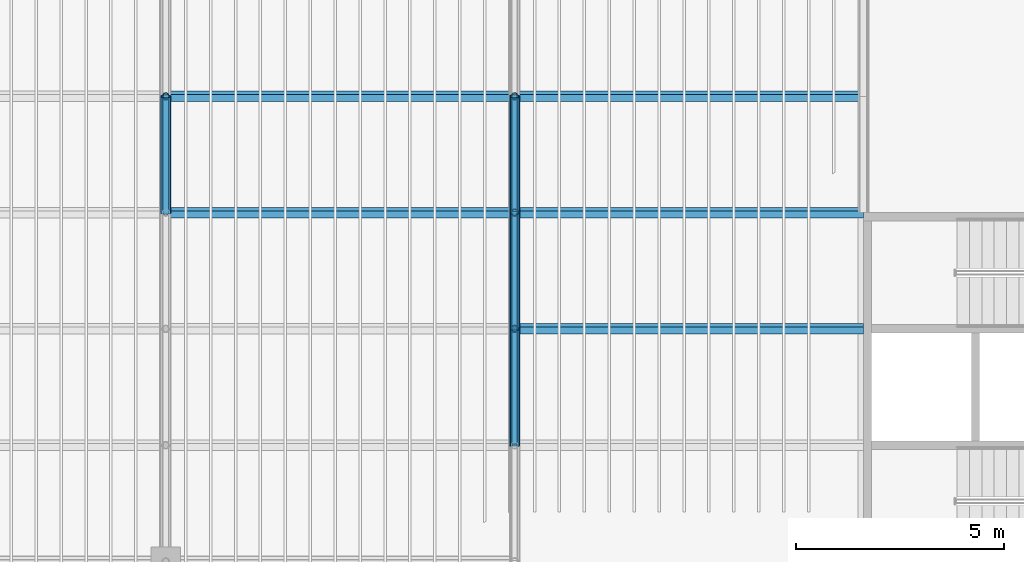
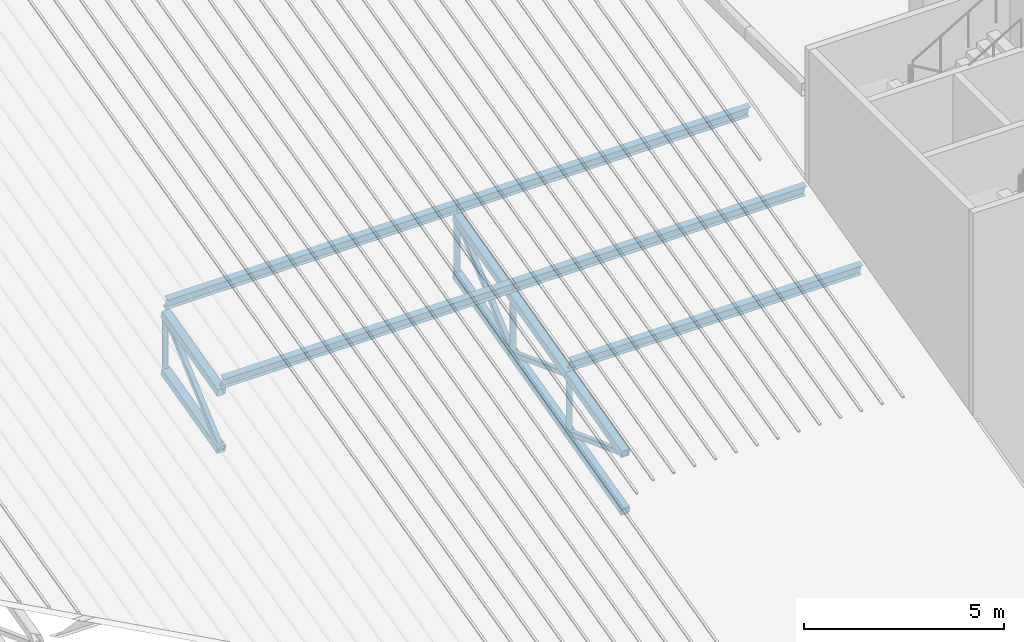
# One storey, part 8 of 114: 21 members.
"""IFC4 building model written with IfcOpenShell, lengths in metres."""

import ifcopenshell
import ifcopenshell.guid

model = None  # the IFC model being written
_history = None  # IfcOwnerHistory: only IFC2X3 demands one
_inside = {}  # id of a spatial element -> (the spatial element, [elements in it])
_under = {}  # id of a project, library or spatial element -> (it, [spatial elements below it])
_declared = {}  # id of a project -> (the project, [libraries it declares])
_typed = {}  # id of a type object -> (the type object, [elements of that type])
_made_of = {}  # id of a material, layer set ... -> (it, [elements and type objects made of it])


def new_model(schema):
    """Start an empty IFC model of exactly this schema.

    Asked for "IFC4X3", IfcOpenShell would pick the latest addendum, in which some entities
    have other attributes; the version numbers below select the first issue.
    IFC2X3 requires an IfcOwnerHistory on every rooted entity: one is made here for all.
    """
    global model, _history
    if schema == "IFC4X3":
        model = ifcopenshell.file(schema_version=(4, 3, 0, 0))
    else:
        model = ifcopenshell.file(schema=schema)
    _inside.clear()
    _under.clear()
    _declared.clear()
    _typed.clear()
    _made_of.clear()
    _history = None
    if model.schema == "IFC2X3":
        org = make("IfcOrganization", Name="unknown")
        user = make(
            "IfcPersonAndOrganization",
            ThePerson=make("IfcPerson", FamilyName="unknown"),
            TheOrganization=org,
        )
        app = make(
            "IfcApplication",
            ApplicationDeveloper=org,
            Version="unknown",
            ApplicationFullName="unknown",
            ApplicationIdentifier="unknown",
        )
        _history = make(
            "IfcOwnerHistory",
            OwningUser=user,
            OwningApplication=app,
            ChangeAction="ADDED",
            CreationDate=0,
        )
    return model


def make(cls, **values):
    """One entity of the class cls with the attributes given. An attribute that is None is left unset."""
    return model.create_entity(
        cls, **{name: value for name, value in values.items() if value is not None}
    )


def rooted(cls, **values):
    """An entity with a GlobalId (a new one), such as an element, a storey or a relation."""
    return make(cls, GlobalId=ifcopenshell.guid.new(), OwnerHistory=_history, **values)


def si_unit(unit_type, name, prefix=None):
    """IfcSIUnit, for example si_unit("LENGTHUNIT", "METRE", prefix="MILLI")."""
    return make("IfcSIUnit", UnitType=unit_type, Prefix=prefix, Name=name)


def assignment(units):
    """IfcUnitAssignment: the units of a project."""
    return None if units is None else make("IfcUnitAssignment", Units=units)


def point(xyz):
    """IfcCartesianPoint."""
    return None if xyz is None else make("IfcCartesianPoint", Coordinates=xyz)


def direction(xyz):
    """IfcDirection."""
    return None if xyz is None else make("IfcDirection", DirectionRatios=xyz)


def frame(location, z_axis=None, x_axis=None):
    """IfcAxis2Placement3D, a coordinate frame: its origin and axes. An axis left out is left unset."""
    return make(
        "IfcAxis2Placement3D",
        Location=point(location),
        Axis=direction(z_axis),
        RefDirection=direction(x_axis),
    )


def frame_2d(location, x_axis=None):
    """IfcAxis2Placement2D, a coordinate frame in the plane: its origin and x axis."""
    return make(
        "IfcAxis2Placement2D", Location=point(location), RefDirection=direction(x_axis)
    )


def origin():
    """The frame at (0, 0, 0) with its axes left unset."""
    return frame((0.0, 0.0, 0.0))


def origin_2d():
    """The frame at (0, 0) in the plane with its x axis left unset."""
    return frame_2d((0.0, 0.0))


def place(relative_to, where):
    """IfcLocalPlacement: puts the frame where relative to a parent placement (None: the world)."""
    return make(
        "IfcLocalPlacement", PlacementRelTo=relative_to, RelativePlacement=where
    )


def context(
    kind, dimensions, precision=None, world=None, true_north=None, identifier=None
):
    """IfcGeometricRepresentationContext, for example the 3D "Model" context."""
    return make(
        "IfcGeometricRepresentationContext",
        ContextIdentifier=identifier,
        ContextType=kind,
        CoordinateSpaceDimension=dimensions,
        Precision=precision,
        WorldCoordinateSystem=world,
        TrueNorth=true_north,
    )


def subcontext(parent, identifier, kind, view, scale=None):
    """IfcGeometricRepresentationSubContext, for example "Body" below "Model"."""
    return make(
        "IfcGeometricRepresentationSubContext",
        ContextIdentifier=identifier,
        ContextType=kind,
        ParentContext=parent,
        TargetScale=scale,
        TargetView=view,
    )


def project(units=None, contexts=None):
    """IfcProject with its units and contexts."""
    return rooted(
        "IfcProject",
        Name="project",
        RepresentationContexts=contexts,
        UnitsInContext=assignment(units),
    )


def spatial(cls, under=None, at=None, **own):
    """A site, building, storey or space (cls), placed at a placement, below another one or the project."""
    s = rooted(cls, ObjectPlacement=at, **own)
    if under is not None:
        _under.setdefault(under.id(), (under, []))[1].append(s)
    return s


def profile(cls, at=None, kind="AREA", **sizes):
    """A parametric profile (cls). Its sizes go by their IFC names, for example OverallWidth=200.0."""
    return make(cls, ProfileType=kind, Position=at, **sizes)


def hollow_rectangle(**sizes):
    """IfcRectangleHollowProfileDef."""
    return profile("IfcRectangleHollowProfileDef", **sizes)


def hollow_circle(**sizes):
    """IfcCircleHollowProfileDef."""
    return profile("IfcCircleHollowProfileDef", **sizes)


def i_section(**sizes):
    """IfcIShapeProfileDef."""
    return profile("IfcIShapeProfileDef", **sizes)


def extrude(swept, where, along, depth):
    """IfcExtrudedAreaSolid: the profile swept, set in the frame where, extruded along a direction by depth."""
    return make(
        "IfcExtrudedAreaSolid",
        SweptArea=swept,
        Position=where,
        ExtrudedDirection=direction(along),
        Depth=depth,
    )


def shape(context_of_items, identifier, shape_type, items):
    """IfcShapeRepresentation: the items that make up one representation, for example the "Body"."""
    return make(
        "IfcShapeRepresentation",
        ContextOfItems=context_of_items,
        RepresentationIdentifier=identifier,
        RepresentationType=shape_type,
        Items=items,
    )


def material(Name=None, Category=None):
    """IfcMaterial."""
    return make("IfcMaterial", Name=Name, Category=Category)


def material_profile(
    of_material, cross_section, Name=None, Category=None, Priority=None
):
    """IfcMaterialProfile: a cross section and its material."""
    return make(
        "IfcMaterialProfile",
        Name=Name,
        Material=of_material,
        Profile=cross_section,
        Priority=Priority,
        Category=Category,
    )


def profile_set(profiles, Name=None, composite=None):
    """IfcMaterialProfileSet."""
    return make(
        "IfcMaterialProfileSet",
        Name=Name,
        MaterialProfiles=profiles,
        CompositeProfile=composite,
    )


def made_of(thing, what):
    """Note that an element or type object is made of a material, layer set ...; save() writes the relation."""
    if what is not None:
        _made_of.setdefault(what.id(), (what, []))[1].append(thing)
    return thing


def type_object(cls, material=None, **own):
    """A type object (cls), such as IfcWallType, which elements share."""
    return made_of(rooted(cls, **own), material)


def element(
    cls,
    number,
    at=None,
    inside=None,
    cuts=None,
    type_object=None,
    material=None,
    context=None,
    identifier="Body",
    shape_type=None,
    held_by="IfcProductDefinitionShape",
    body=None,
    shapes=None,
    **own,
):
    """One element of the class cls, such as IfcWall. Its Tag is "e" and its number.

    at: its placement. inside: the storey or other place that contains it. cuts: it is an
    opening in that element (IfcRelVoidsElement). A single representation is given by context,
    identifier, shape_type and body (its items); several are given by shapes. held_by: the class
    of the entity that holds the representations. save() writes the other relations.
    """
    e = rooted(cls, Tag="e%d" % number, ObjectPlacement=at, **own)
    if body is not None:
        shapes = [shape(context, identifier, shape_type, body)]
    if shapes is not None:
        e.Representation = make(held_by, Representations=shapes)
    if inside is not None:
        _inside.setdefault(inside.id(), (inside, []))[1].append(e)
    if cuts is not None:
        rooted(
            "IfcRelVoidsElement", RelatingBuildingElement=cuts, RelatedOpeningElement=e
        )
    if type_object is not None:
        _typed.setdefault(type_object.id(), (type_object, []))[1].append(e)
    return made_of(e, material)


def aggregate(whole, parts):
    """IfcRelAggregates: a whole, such as a stair, and the parts it consists of."""
    return rooted("IfcRelAggregates", RelatingObject=whole, RelatedObjects=parts)


def save(model, path):
    """Write the relations noted so far, then the file.

    IfcRelAggregates (storeys below a building ...), IfcRelContainedInSpatialStructure (elements
    in a storey), IfcRelDefinesByType, IfcRelAssociatesMaterial and IfcRelDeclares: one each for
    every whole, place, type object, material and project.
    """
    for whole, parts in _under.values():
        aggregate(whole, parts)
    for where, things in _inside.values():
        rooted(
            "IfcRelContainedInSpatialStructure",
            RelatedElements=things,
            RelatingStructure=where,
        )
    for kind, things in _typed.values():
        rooted("IfcRelDefinesByType", RelatedObjects=things, RelatingType=kind)
    for what, things in _made_of.values():
        rooted("IfcRelAssociatesMaterial", RelatedObjects=things, RelatingMaterial=what)
    for by, libraries in _declared.values():
        rooted("IfcRelDeclares", RelatingContext=by, RelatedDefinitions=libraries)
    model.write(path)


model = new_model("IFC4")

# Units and contexts
model_context = context("Model", 3, precision=1e-05, world=origin(), true_north=direction((0.0, 1.0)))
body_context = subcontext(model_context, "Body", "Model", "MODEL_VIEW")
ifc_project = project(units=[si_unit("LENGTHUNIT", "METRE"), si_unit("AREAUNIT", "SQUARE_METRE"), si_unit("VOLUMEUNIT", "CUBIC_METRE"), si_unit("PLANEANGLEUNIT", "RADIAN"), si_unit("MASSUNIT", "GRAM", prefix="KILO")], contexts=[model_context])

# Site, building, storey
site_placement = place(None, origin())
site = spatial("IfcSite", under=ifc_project, at=site_placement, CompositionType="ELEMENT")
building_placement = place(site_placement, origin())
building = spatial("IfcBuilding", under=site, at=building_placement, Name="Almond Square Museum", CompositionType="ELEMENT")
storey_placement = place(building_placement, frame((0.0, 0.0, 10.5)))
storey = spatial("IfcBuildingStorey", under=building, at=storey_placement, Name="L02", CompositionType="ELEMENT", Elevation=10.5)

# Members
ifc_material_1 = material(Name="Structural steel S355", Category="steel")
ifc_material_profile_1 = material_profile(ifc_material_1, i_section(OverallWidth=0.1708984375, OverallDepth=0.35595703125, WebThickness=0.00732421875, FlangeThickness=0.01171875, at=origin_2d()))
ifc_profile_set_1 = profile_set([ifc_material_profile_1], Name="Structural steel S355")
member_type_1 = type_object("IfcMemberType", Name="Steel purlin W360x51", PredefinedType="PURLIN", material=ifc_profile_set_1)
member_1_placement = place(storey_placement, frame((31.199951171875, 89.60009765625, 4.454833984375), z_axis=(1.0, 0.0, 0.0), x_axis=(0.0, 0.969459905022, 0.245249857402)))
element("IfcMember", 1, at=member_1_placement, inside=storey, type_object=member_type_1, Name="Auditorium purlin 7.4", PredefinedType="PURLIN", context=body_context, shape_type="SweptSolid", body=[
    extrude(i_section(OverallWidth=0.1708984375, OverallDepth=0.35595703125, WebThickness=0.00732421875, FlangeThickness=0.01171875, at=origin_2d()), origin(), (0.0, 0.0, 1.0), 8.400146484375),
])
member_2_placement = place(storey_placement, frame((22.800048828125, 92.39990234375, 5.1630859375), z_axis=(1.0, 0.0, 0.0), x_axis=(0.0, 0.969459905022, 0.245249857402)))
element("IfcMember", 2, at=member_2_placement, inside=storey, type_object=member_type_1, Name="Auditorium purlin 8.3", PredefinedType="PURLIN", context=body_context, shape_type="SweptSolid", body=[
    extrude(i_section(OverallWidth=0.1708984375, OverallDepth=0.35595703125, WebThickness=0.00732421875, FlangeThickness=0.01171875, at=origin_2d()), origin(), (0.0, 0.0, 1.0), 8.39990234375),
])
member_3_placement = place(storey_placement, frame((31.199951171875, 92.39990234375, 5.1630859375), z_axis=(1.0, 0.0, 0.0), x_axis=(0.0, 0.969459905022, 0.245249857402)))
element("IfcMember", 3, at=member_3_placement, inside=storey, type_object=member_type_1, Name="Auditorium purlin 8.4", PredefinedType="PURLIN", context=body_context, shape_type="SweptSolid", body=[
    extrude(i_section(OverallWidth=0.1708984375, OverallDepth=0.35595703125, WebThickness=0.00732421875, FlangeThickness=0.01171875, at=origin_2d()), origin(), (0.0, 0.0, 1.0), 8.400146484375),
])
member_4_placement = place(storey_placement, frame((22.800048828125, 95.199951171875, 5.87158203125), z_axis=(1.0, 0.0, 0.0), x_axis=(0.0, 0.969459905022, 0.245249857402)))
element("IfcMember", 4, at=member_4_placement, inside=storey, type_object=member_type_1, Name="Auditorium purlin 9.3", PredefinedType="PURLIN", context=body_context, shape_type="SweptSolid", body=[
    extrude(i_section(OverallWidth=0.1708984375, OverallDepth=0.35595703125, WebThickness=0.00732421875, FlangeThickness=0.01171875, at=origin_2d()), origin(), (0.0, 0.0, 1.0), 8.39990234375),
])
member_5_placement = place(storey_placement, frame((31.199951171875, 95.199951171875, 5.87158203125), z_axis=(1.0, 0.0, 0.0), x_axis=(0.0, 0.969459905022, 0.245249857402)))
element("IfcMember", 5, at=member_5_placement, inside=storey, type_object=member_type_1, Name="Auditorium purlin 9.4", PredefinedType="PURLIN", context=body_context, shape_type="SweptSolid", body=[
    extrude(i_section(OverallWidth=0.1708984375, OverallDepth=0.35595703125, WebThickness=0.00732421875, FlangeThickness=0.01171875, at=origin_2d()), origin(), (0.0, 0.0, 1.0), 8.400146484375),
])
ifc_material_2 = material(Name="Structural steel S355", Category="steel")
ifc_material_profile_2 = material_profile(ifc_material_2, hollow_rectangle(XDim=0.25, YDim=0.25, WallThickness=0.012451171875, InnerFilletRadius=0.02490234375, OuterFilletRadius=0.03759765625, at=origin_2d()))
ifc_profile_set_2 = profile_set([ifc_material_profile_2], Name="Structural steel S355")
member_type_2 = type_object("IfcMemberType", Name="Truss chord SHS 250x250x12.5", PredefinedType="CHORD", material=ifc_profile_set_2)
for number, where, z_axis, x_axis, name in (
    (6, (22.800048828125, 92.39990234375, 4.8544921875), (0.0, 0.969447423453, 0.245299191112), (-1.0, 0.0, 0.0), "TR-14 top chord 7"),
    (7, (22.800048828125, 92.39990234375, 3.1044921875), (0.0, 0.969447423453, 0.245299191112), (-1.0, 0.0, 0.0), "TR-14 bottom chord 7"),
    (8, (31.199951171875, 86.800048828125, 3.43798828125), (0.0, 0.969467521681, 0.245219747179), (-1.0, 0.0, 0.0), "TR-15 top chord 5"),
    (9, (31.199951171875, 86.800048828125, 1.68798828125), (0.0, 0.969467521681, 0.245219747179), (-1.0, 0.0, 0.0), "TR-15 bottom chord 5"),
):
    element("IfcMember", number, at=place(storey_placement, frame(where, z_axis=z_axis, x_axis=x_axis)), inside=storey, type_object=member_type_2, Name=name, PredefinedType="CHORD", context=body_context, shape_type="SweptSolid", body=[
        extrude(hollow_rectangle(XDim=0.25, YDim=0.25, WallThickness=0.012451171875, InnerFilletRadius=0.02490234375, OuterFilletRadius=0.03759765625, at=origin_2d()), origin(), (0.0, 0.0, 1.0), 2.88818359375),
    ])
for number, where, z_axis, x_axis, name in (
    (10, (31.199951171875, 89.60009765625, 4.146240234375), (0.0, 0.969462438073, 0.245239844162), (-1.0, 0.0, 0.0), "TR-15 top chord 6"),
    (11, (31.199951171875, 89.60009765625, 2.396240234375), (0.0, 0.969462438073, 0.245239844162), (-1.0, 0.0, 0.0), "TR-15 bottom chord 6"),
):
    element("IfcMember", number, at=place(storey_placement, frame(where, z_axis=z_axis, x_axis=x_axis)), inside=storey, type_object=member_type_2, Name=name, PredefinedType="CHORD", context=body_context, shape_type="SweptSolid", body=[
        extrude(hollow_rectangle(XDim=0.25, YDim=0.25, WallThickness=0.012451171875, InnerFilletRadius=0.02490234375, OuterFilletRadius=0.03759765625, at=origin_2d()), origin(), (0.0, 0.0, 1.0), 2.887939453125),
    ])
for number, where, z_axis, x_axis, name in (
    (12, (31.199951171875, 92.39990234375, 4.8544921875), (0.0, 0.969447423453, 0.245299191112), (-1.0, 0.0, 0.0), "TR-15 top chord 7"),
    (13, (31.199951171875, 92.39990234375, 3.1044921875), (0.0, 0.969447423453, 0.245299191112), (-1.0, 0.0, 0.0), "TR-15 bottom chord 7"),
):
    element("IfcMember", number, at=place(storey_placement, frame(where, z_axis=z_axis, x_axis=x_axis)), inside=storey, type_object=member_type_2, Name=name, PredefinedType="CHORD", context=body_context, shape_type="SweptSolid", body=[
        extrude(hollow_rectangle(XDim=0.25, YDim=0.25, WallThickness=0.012451171875, InnerFilletRadius=0.02490234375, OuterFilletRadius=0.03759765625, at=origin_2d()), origin(), (0.0, 0.0, 1.0), 2.88818359375),
    ])
ifc_material_3 = material(Name="Structural steel S355", Category="steel")
ifc_material_profile_3 = material_profile(ifc_material_3, hollow_rectangle(XDim=0.14990234375, YDim=0.14990234375, WallThickness=0.008056640625, InnerFilletRadius=0.011962890625, OuterFilletRadius=0.02001953125, at=origin_2d()))
ifc_profile_set_3 = profile_set([ifc_material_profile_3], Name="Structural steel S355")
member_type_3 = type_object("IfcMemberType", Name="Truss diagonal SHS 150x150x8", PredefinedType="BRACE", material=ifc_profile_set_3)
member_6_placement = place(storey_placement, frame((22.800048828125, 92.39990234375, 3.1044921875), z_axis=(0.0, 0.751451317382, 0.659788540068), x_axis=(-1.0, 0.0, 0.0)))
element("IfcMember", 14, at=member_6_placement, inside=storey, type_object=member_type_3, Name="TR-14 diagonal 7", PredefinedType="BRACE", context=body_context, shape_type="SweptSolid", body=[
    extrude(hollow_rectangle(XDim=0.14990234375, YDim=0.14990234375, WallThickness=0.008056640625, InnerFilletRadius=0.011962890625, OuterFilletRadius=0.02001953125, at=origin_2d()), origin(), (0.0, 0.0, 1.0), 3.72607421875),
])
member_7_placement = place(storey_placement, frame((31.199951171875, 86.800048828125, 3.43798828125), z_axis=(0.0, 0.937236136552, -0.348695317348), x_axis=(-1.0, 0.0, 0.0)))
element("IfcMember", 15, at=member_7_placement, inside=storey, type_object=member_type_3, Name="TR-15 diagonal 5", PredefinedType="BRACE", context=body_context, shape_type="SweptSolid", body=[
    extrude(hollow_rectangle(XDim=0.14990234375, YDim=0.14990234375, WallThickness=0.008056640625, InnerFilletRadius=0.011962890625, OuterFilletRadius=0.02001953125, at=origin_2d()), origin(), (0.0, 0.0, 1.0), 2.987548828125),
])
member_8_placement = place(storey_placement, frame((31.199951171875, 89.60009765625, 4.146240234375), z_axis=(0.0, 0.937226199316, -0.348722025853), x_axis=(-1.0, 0.0, 0.0)))
element("IfcMember", 16, at=member_8_placement, inside=storey, type_object=member_type_3, Name="TR-15 diagonal 6", PredefinedType="BRACE", context=body_context, shape_type="SweptSolid", body=[
    extrude(hollow_rectangle(XDim=0.14990234375, YDim=0.14990234375, WallThickness=0.008056640625, InnerFilletRadius=0.011962890625, OuterFilletRadius=0.02001953125, at=origin_2d()), origin(), (0.0, 0.0, 1.0), 2.9873046875),
])
member_9_placement = place(storey_placement, frame((31.199951171875, 92.39990234375, 3.1044921875), z_axis=(0.0, 0.751451317382, 0.659788540068), x_axis=(-1.0, 0.0, 0.0)))
element("IfcMember", 17, at=member_9_placement, inside=storey, type_object=member_type_3, Name="TR-15 diagonal 7", PredefinedType="BRACE", context=body_context, shape_type="SweptSolid", body=[
    extrude(hollow_rectangle(XDim=0.14990234375, YDim=0.14990234375, WallThickness=0.008056640625, InnerFilletRadius=0.011962890625, OuterFilletRadius=0.02001953125, at=origin_2d()), origin(), (0.0, 0.0, 1.0), 3.72607421875),
])
ifc_material_4 = material(Name="Structural steel S355", Category="steel")
ifc_material_profile_4 = material_profile(ifc_material_4, hollow_circle(Radius=0.084228515625, WallThickness=0.008056640625, at=origin_2d()))
ifc_profile_set_4 = profile_set([ifc_material_profile_4], Name="Structural steel S355")
member_type_4 = type_object("IfcMemberType", Name="Truss post CHS 168.3x8", PredefinedType="POST", material=ifc_profile_set_4)
for number, where, z_axis, x_axis, name in (
    (18, (22.800048828125, 95.199951171875, 3.81298828125), (0.0, 0.0, 1.0), (1.0, 0.0, 0.0), "TR-14 post 8"),
    (19, (31.199951171875, 89.60009765625, 2.396240234375), (0.0, 0.0, 1.0), (1.0, 0.0, 0.0), "TR-15 post 6"),
    (20, (31.199951171875, 92.39990234375, 3.1044921875), (0.0, 0.0, 1.0), (1.0, 0.0, 0.0), "TR-15 post 7"),
    (21, (31.199951171875, 95.199951171875, 3.81298828125), (0.0, 0.0, 1.0), (1.0, 0.0, 0.0), "TR-15 post 8"),
):
    element("IfcMember", number, at=place(storey_placement, frame(where, z_axis=z_axis, x_axis=x_axis)), inside=storey, type_object=member_type_4, Name=name, PredefinedType="POST", context=body_context, shape_type="SweptSolid", body=[
        extrude(hollow_circle(Radius=0.084228515625, WallThickness=0.008056640625, at=origin_2d()), origin(), (0.0, 0.0, 1.0), 1.75),
    ])

save(model, "model.ifc")
